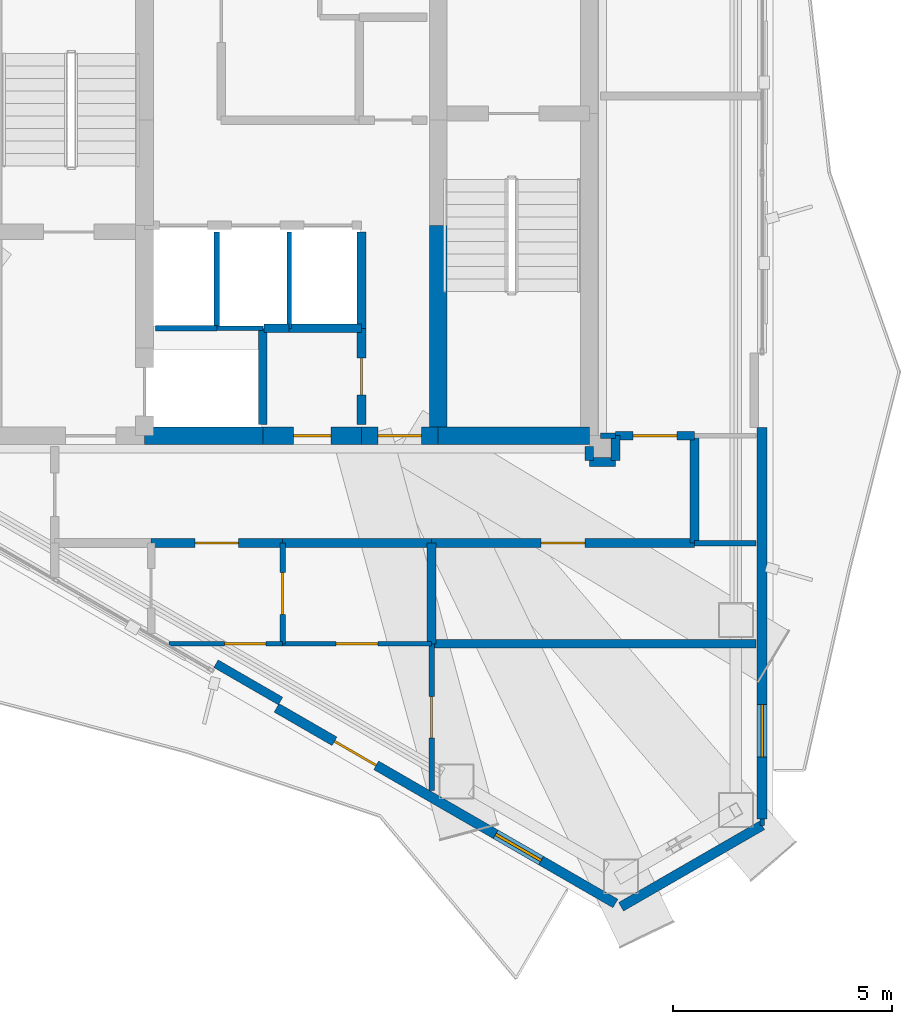
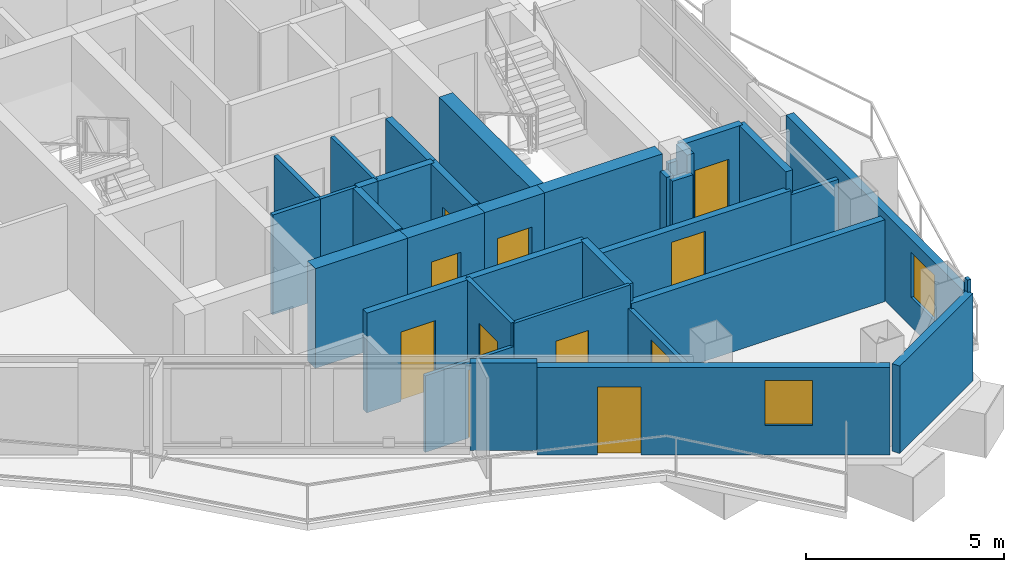
# One storey, part 13 of 17: 35 walls, 11 doors, 2 windows, 13 openings.
"""IFC4 building model written with IfcOpenShell, lengths in metres."""

from ifc_helpers import new_model, si_unit, direction, frame, frame_2d, origin, place, context, subcontext, project, spatial, rectangle, extrude, material, layer, layer_set, type_object, element, fill, save


model = new_model("IFC4")

# Units and contexts
model_context = context("Model", 3, precision=1e-05, world=origin(), true_north=direction((0.0, 1.0)))
body_context = subcontext(model_context, "Body", "Model", "MODEL_VIEW")
ifc_project = project(units=[si_unit("LENGTHUNIT", "METRE"), si_unit("AREAUNIT", "SQUARE_METRE"), si_unit("VOLUMEUNIT", "CUBIC_METRE"), si_unit("PLANEANGLEUNIT", "RADIAN"), si_unit("MASSUNIT", "GRAM", prefix="KILO")], contexts=[model_context])

# Site, building, storey
site_placement = place(None, origin())
site = spatial("IfcSite", under=ifc_project, at=site_placement, CompositionType="ELEMENT")
building_placement = place(site_placement, origin())
building = spatial("IfcBuilding", under=site, at=building_placement, Name="Mersakhor Tower and Convention Hall", CompositionType="ELEMENT")
storey_placement = place(building_placement, frame((0.0, 0.0, 223.199951171875)))
storey = spatial("IfcBuildingStorey", under=building, at=storey_placement, Name="L62", CompositionType="ELEMENT", Elevation=223.199951171875)

# Wall
ifc_material_1 = material(Name="Precast concrete C40/50", Category="concrete")
ifc_layer_1 = layer(ifc_material_1, 0.22509765625)
ifc_layer_set_1 = layer_set([ifc_layer_1], Name="Precast concrete C40/50")
wall_type_1 = type_object("IfcWallType", Name="WL-EXT-225", PredefinedType="SOLIDWALL", material=ifc_layer_set_1)
wall_1_placement = place(storey_placement, frame((39.742919921875, 11.858154296875, 0.0), z_axis=(0.0, 0.0, 1.0), x_axis=(-0.866038962515, -0.499976514854, 0.0)))
element("IfcWall", 1, at=wall_1_placement, inside=storey, type_object=wall_type_1, Name="L62 Chamfer Braced Spandrel Wall C2", PredefinedType="SOLIDWALL", context=body_context, shape_type="SweptSolid", body=[
    extrude(rectangle(XDim=3.715576171875, YDim=0.22509765625, at=frame_2d((1.85791015625, 0.0))), origin(), (0.0, 0.0, 1.0), 2.699951171875),
])

# Wall, opening, window
wall_2_placement = place(storey_placement, frame((39.742919921875, 20.93603515625, 0.0), z_axis=(0.0, 0.0, 1.0), x_axis=(0.0, -1.0, 0.0)))
wall_2 = element("IfcWall", 2, at=wall_2_placement, inside=storey, type_object=wall_type_1, Name="L62 Exterior Facade Wall F2-B3", PredefinedType="SOLIDWALL", context=body_context, shape_type="SweptSolid", body=[
    extrude(rectangle(XDim=8.927734375, YDim=0.22509765625, at=frame_2d((4.4638671875, 0.0))), origin(), (0.0, 0.0, 1.0), 2.699951171875),
])
opening_1_placement = place(wall_2_placement, frame((6.322021484375, 0.0, 0.89990234375)))
opening_1 = element("IfcOpeningElement", 3, at=opening_1_placement, cuts=wall_2, Name="Opening W-01", PredefinedType="OPENING", context=body_context, shape_type="SweptSolid", body=[
    extrude(rectangle(XDim=1.199951171875, YDim=1.39990234375, at=frame_2d((0.60009765625, 0.699951171875))), frame((0.0, 0.12255859375, 0.0), z_axis=(0.0, -1.0, 0.0), x_axis=(1.0, 0.0, 0.0)), (0.0, 0.0, 1.0), 0.2451171875),
])
ifc_material_2 = material(Name="Dark solar low-E glazed aluminium window", Category="aluminium")
window_type = type_object("IfcWindowType", Name="WN-RES-120x150", PartitioningType="SINGLE_PANEL", PredefinedType="WINDOW", material=ifc_material_2)
window_1_placement = place(opening_1_placement, origin())
window_1 = element("IfcWindow", 4, at=window_1_placement, inside=storey, type_object=window_type, Name="L62 Bedroom Facade Window F2-B3-1", OverallHeight=1.39990234375, OverallWidth=1.199951171875, PartitioningType="SINGLE_PANEL", PredefinedType="WINDOW", context=body_context, shape_type="SweptSolid", body=[
    extrude(rectangle(XDim=1.199951171875, YDim=1.39990234375, at=frame_2d((0.60009765625, 0.699951171875))), frame((0.0, 0.030029296875, 0.0), z_axis=(0.0, -1.0, 0.0), x_axis=(1.0, 0.0, 0.0)), (0.0, 0.0, 1.0), 0.06005859375),
])
fill(opening_1, window_1)

# Wall, openings, door, window
wall_3_placement = place(storey_placement, frame((36.395263671875, 10.07568359375, 0.0), z_axis=(0.0, 0.0, 1.0), x_axis=(-0.866026655105, 0.499997832642, 0.0)))
wall_3 = element("IfcWall", 5, at=wall_3_placement, inside=storey, type_object=wall_type_1, Name="L62 Exterior Facade Wall F3-B1", PredefinedType="SOLIDWALL", context=body_context, shape_type="SweptSolid", body=[
    extrude(rectangle(XDim=8.927734375, YDim=0.22509765625, at=frame_2d((4.4638671875, 0.0))), origin(), (0.0, 0.0, 1.0), 2.699951171875),
])
opening_2_placement = place(wall_3_placement, frame((6.302001953125, 0.0, 0.0)))
opening_2 = element("IfcOpeningElement", 6, at=opening_2_placement, cuts=wall_3, Name="Opening BD-02", PredefinedType="OPENING", context=body_context, shape_type="SweptSolid", body=[
    extrude(rectangle(XDim=1.10009765625, YDim=2.10009765625, at=frame_2d((0.550048828125, 1.050048828125))), frame((0.0, 0.12255859375, 0.0), z_axis=(0.0, -1.0, 0.0), x_axis=(1.0, 0.0, 0.0)), (0.0, 0.0, 1.0), 0.2451171875),
])
opening_3_placement = place(wall_3_placement, frame((1.9580078125, 0.0, 0.89990234375)))
opening_3 = element("IfcOpeningElement", 7, at=opening_3_placement, cuts=wall_3, Name="Opening W-01", PredefinedType="OPENING", context=body_context, shape_type="SweptSolid", body=[
    extrude(rectangle(XDim=1.199951171875, YDim=1.39990234375, at=frame_2d((0.60009765625, 0.699951171875))), frame((0.0, 0.12255859375, 0.0), z_axis=(0.0, -1.0, 0.0), x_axis=(1.0, 0.0, 0.0)), (0.0, 0.0, 1.0), 0.2451171875),
])
ifc_material_3 = material(Name="Thermally broken dark aluminium and safety glass", Category="aluminium")
door_type_1 = type_object("IfcDoorType", Name="DR-BAL-110x210", OperationType="NOTDEFINED", PredefinedType="DOOR", material=ifc_material_3)
door_1_placement = place(opening_2_placement, origin())
door_1 = element("IfcDoor", 8, at=door_1_placement, inside=storey, type_object=door_type_1, Name="L62 Balcony Terrace Door F3-B1", OperationType="SINGLE_SWING_RIGHT", OverallHeight=2.10009765625, OverallWidth=1.10009765625, PredefinedType="DOOR", context=body_context, shape_type="SweptSolid", body=[
    extrude(rectangle(XDim=1.10009765625, YDim=2.10009765625, at=frame_2d((0.550048828125, 1.050048828125))), frame((0.0, 0.02490234375, 0.0), z_axis=(0.0, -1.0, 0.0), x_axis=(1.0, 0.0, 0.0)), (0.0, 0.0, 1.0), 0.050048828125),
])
fill(opening_2, door_1)
window_2_placement = place(opening_3_placement, origin())
window_2 = element("IfcWindow", 9, at=window_2_placement, inside=storey, type_object=window_type, Name="L62 Bedroom Facade Window F3-B1-1", OverallHeight=1.39990234375, OverallWidth=1.199951171875, PartitioningType="SINGLE_PANEL", PredefinedType="WINDOW", context=body_context, shape_type="SweptSolid", body=[
    extrude(rectangle(XDim=1.199951171875, YDim=1.39990234375, at=frame_2d((0.60009765625, 0.699951171875))), frame((0.0, 0.030029296875, 0.0), z_axis=(0.0, -1.0, 0.0), x_axis=(1.0, 0.0, 0.0)), (0.0, 0.0, 1.0), 0.06005859375),
])
fill(opening_3, window_2)

# Walls
ifc_material_4 = material(Name="Precast concrete C40/50", Category="concrete")
ifc_layer_2 = layer(ifc_material_4, 0.199951171875)
ifc_layer_set_2 = layer_set([ifc_layer_2], Name="Precast concrete C40/50")
wall_type_2 = type_object("IfcWallType", Name="WL-PAR-200", PredefinedType="PARAPET", material=ifc_layer_set_2)
wall_4_placement = place(storey_placement, frame((28.753662109375, 14.6953125, 0.0), z_axis=(0.0, 0.0, 1.0), x_axis=(-0.866025371046, 0.500000056704, 0.0)))
element("IfcWall", 10, at=wall_4_placement, inside=storey, type_object=wall_type_2, Name="L62 Column Pier Cladding Wall F3-C1", PredefinedType="PARAPET", context=body_context, shape_type="SweptSolid", body=[
    extrude(rectangle(XDim=1.7001953125, YDim=0.199951171875, at=frame_2d((0.85009765625, 0.0))), origin(), (0.0, 0.0, 1.0), 2.699951171875),
])
ifc_material_5 = material(Name="Lightweight gypsum partition", Category="other")
ifc_layer_3 = layer(ifc_material_5, 0.10009765625)
ifc_layer_set_3 = layer_set([ifc_layer_3], Name="Lightweight gypsum partition")
wall_type_3 = type_object("IfcWallType", Name="WL-PRT-100", PredefinedType="PARTITIONING", material=ifc_layer_set_3)
wall_5_placement = place(storey_placement, frame((27.300048828125, 23.199951171875, 0.0), z_axis=(0.0, 0.0, 1.0), x_axis=(1.0, 0.0, 0.0)))
element("IfcWall", 11, at=wall_5_placement, inside=storey, type_object=wall_type_3, Name="L62 Interior Partition Wall P-002", PredefinedType="PARTITIONING", context=body_context, shape_type="SweptSolid", body=[
    extrude(rectangle(XDim=1.050048828125, YDim=0.10009765625, at=frame_2d((0.52490234375, 0.0))), origin(), (0.0, 0.0, 1.0), 3.080078125),
])
wall_6_placement = place(storey_placement, frame((28.949951171875, 25.39990234375, 0.0), z_axis=(0.0, 0.0, 1.0), x_axis=(0.0, -1.0, 0.0)))
element("IfcWall", 12, at=wall_6_placement, inside=storey, type_object=wall_type_3, Name="L62 Interior Partition Wall P-008", PredefinedType="PARTITIONING", context=body_context, shape_type="SweptSolid", body=[
    extrude(rectangle(XDim=2.199951171875, YDim=0.10009765625, at=frame_2d((1.10009765625, 0.0))), origin(), (0.0, 0.0, 1.0), 3.080078125),
])

# Wall, opening, door
wall_7_placement = place(storey_placement, frame((28.800048828125, 16.0, 0.0), z_axis=(0.0, 0.0, 1.0), x_axis=(-1.0, 0.0, 0.0)))
wall_7 = element("IfcWall", 13, at=wall_7_placement, inside=storey, type_object=wall_type_3, Name="L62 Interior Partition Wall P-040", PredefinedType="PARTITIONING", context=body_context, shape_type="SweptSolid", body=[
    extrude(rectangle(XDim=2.593505859375, YDim=0.10009765625, at=frame_2d((1.296875, 0.0))), origin(), (0.0, 0.0, 1.0), 2.364990234375),
])
opening_4_placement = place(wall_7_placement, frame((0.376708984375, 0.0, 0.0)))
opening_4 = element("IfcOpeningElement", 14, at=opening_4_placement, cuts=wall_7, Name="Opening RD-01", PredefinedType="OPENING", context=body_context, shape_type="SweptSolid", body=[
    extrude(rectangle(XDim=0.949951171875, YDim=2.10009765625, at=frame_2d((0.47509765625, 1.050048828125))), frame((0.0, 0.06005859375, 0.0), z_axis=(0.0, -1.0, 0.0), x_axis=(1.0, 0.0, 0.0)), (0.0, 0.0, 1.0), 0.1201171875),
])
ifc_material_6 = material(Name="Solid-core hardwood leaf in painted steel frame", Category="steel")
door_type_2 = type_object("IfcDoorType", Name="DR-INT-RM-095x210", OperationType="NOTDEFINED", PredefinedType="DOOR", material=ifc_material_6)
door_2_placement = place(opening_4_placement, origin())
door_2 = element("IfcDoor", 15, at=door_2_placement, inside=storey, type_object=door_type_2, Name="L62 L62 Flat S2 Apartment Hall to L62 Flat S2 Living and Dining Room Door", OperationType="SINGLE_SWING_RIGHT", OverallHeight=2.10009765625, OverallWidth=0.949951171875, PredefinedType="DOOR", context=body_context, shape_type="SweptSolid", body=[
    extrude(rectangle(XDim=0.949951171875, YDim=2.10009765625, at=frame_2d((0.47509765625, 1.050048828125))), frame((0.0, 0.02490234375, 0.0), z_axis=(0.0, -1.0, 0.0), x_axis=(1.0, 0.0, 0.0)), (0.0, 0.0, 1.0), 0.050048828125),
])
fill(opening_4, door_2)

wall_8_placement = place(storey_placement, frame((32.199951171875, 16.0, 0.0), z_axis=(0.0, 0.0, 1.0), x_axis=(-1.0, 0.0, 0.0)))
wall_8 = element("IfcWall", 16, at=wall_8_placement, inside=storey, type_object=wall_type_3, Name="L62 Interior Partition Wall P-050", PredefinedType="PARTITIONING", context=body_context, shape_type="SweptSolid", body=[
    extrude(rectangle(XDim=3.39990234375, YDim=0.10009765625, at=frame_2d((1.699951171875, 0.0))), origin(), (0.0, 0.0, 1.0), 3.080078125),
])
opening_5_placement = place(wall_8_placement, frame((1.22509765625, 0.0, 0.0)))
opening_5 = element("IfcOpeningElement", 17, at=opening_5_placement, cuts=wall_8, Name="Opening RD-01", PredefinedType="OPENING", context=body_context, shape_type="SweptSolid", body=[
    extrude(rectangle(XDim=0.949951171875, YDim=2.10009765625, at=frame_2d((0.47509765625, 1.050048828125))), frame((0.0, 0.06005859375, 0.0), z_axis=(0.0, -1.0, 0.0), x_axis=(1.0, 0.0, 0.0)), (0.0, 0.0, 1.0), 0.1201171875),
])
door_3_placement = place(opening_5_placement, origin())
door_3 = element("IfcDoor", 18, at=door_3_placement, inside=storey, type_object=door_type_2, Name="L62 L62 Flat S2 Kitchen to L62 Flat S2 Living and Dining Room Door", OperationType="SINGLE_SWING_RIGHT", OverallHeight=2.10009765625, OverallWidth=0.949951171875, PredefinedType="DOOR", context=body_context, shape_type="SweptSolid", body=[
    extrude(rectangle(XDim=0.949951171875, YDim=2.10009765625, at=frame_2d((0.47509765625, 1.050048828125))), frame((0.0, 0.02490234375, 0.0), z_axis=(0.0, -1.0, 0.0), x_axis=(1.0, 0.0, 0.0)), (0.0, 0.0, 1.0), 0.050048828125),
])
fill(opening_5, door_3)

# Walls
wall_9_placement = place(storey_placement, frame((39.742919921875, 12.00830078125, 0.0), z_axis=(0.0, 0.0, 1.0), x_axis=(0.0, -1.0, 0.0)))
element("IfcWall", 19, at=wall_9_placement, inside=storey, type_object=wall_type_3, Name="L62 Interior Partition Wall P-066", PredefinedType="PARTITIONING", context=body_context, shape_type="SweptSolid", body=[
    extrude(rectangle(XDim=0.150390625, YDim=0.10009765625, at=frame_2d((0.0751953125, 0.0))), origin(), (0.0, 0.0, 1.0), 3.080078125),
])
ifc_material_7 = material(Name="Gypsum board acoustic partition", Category="other")
ifc_layer_4 = layer(ifc_material_7, 0.125)
ifc_layer_set_4 = layer_set([ifc_layer_4], Name="Gypsum board acoustic partition")
wall_type_4 = type_object("IfcWallType", Name="WL-PRT-125", PredefinedType="PARTITIONING", material=ifc_layer_set_4)
wall_10_placement = place(storey_placement, frame((25.89990234375, 23.199951171875, 0.0), z_axis=(0.0, 0.0, 1.0), x_axis=(1.0, 0.0, 0.0)))
element("IfcWall", 20, at=wall_10_placement, inside=storey, type_object=wall_type_4, Name="L62 Interior Partition Wall P-001", PredefinedType="PARTITIONING", context=body_context, shape_type="SweptSolid", body=[
    extrude(rectangle(XDim=1.400146484375, YDim=0.125, at=frame_2d((0.7001953125, 0.0))), origin(), (0.0, 0.0, 1.0), 3.080078125),
])
wall_11_placement = place(storey_placement, frame((27.300048828125, 25.39990234375, 0.0), z_axis=(0.0, 0.0, 1.0), x_axis=(0.0, -1.0, 0.0)))
element("IfcWall", 21, at=wall_11_placement, inside=storey, type_object=wall_type_4, Name="L62 Interior Partition Wall P-007", PredefinedType="PARTITIONING", context=body_context, shape_type="SweptSolid", body=[
    extrude(rectangle(XDim=2.199951171875, YDim=0.125, at=frame_2d((1.10009765625, 0.0))), origin(), (0.0, 0.0, 1.0), 3.080078125),
])

# Wall, opening, door
wall_12_placement = place(storey_placement, frame((28.800048828125, 18.300048828125, 0.0), z_axis=(0.0, 0.0, 1.0), x_axis=(0.0, -1.0, 0.0)))
wall_12 = element("IfcWall", 22, at=wall_12_placement, inside=storey, type_object=wall_type_4, Name="L62 Interior Partition Wall P-039", PredefinedType="PARTITIONING", context=body_context, shape_type="SweptSolid", body=[
    extrude(rectangle(XDim=2.300048828125, YDim=0.125, at=frame_2d((1.14990234375, 0.0))), origin(), (0.0, 0.0, 1.0), 3.080078125),
])
opening_6_placement = place(wall_12_placement, frame((0.675048828125, 0.0, 0.0)))
opening_6 = element("IfcOpeningElement", 23, at=opening_6_placement, cuts=wall_12, Name="Opening RD-01", PredefinedType="OPENING", context=body_context, shape_type="SweptSolid", body=[
    extrude(rectangle(XDim=0.949951171875, YDim=2.10009765625, at=frame_2d((0.47509765625, 1.050048828125))), frame((0.0, 0.072509765625, 0.0), z_axis=(0.0, -1.0, 0.0), x_axis=(1.0, 0.0, 0.0)), (0.0, 0.0, 1.0), 0.14501953125),
])
door_4_placement = place(opening_6_placement, origin())
door_4 = element("IfcDoor", 24, at=door_4_placement, inside=storey, type_object=door_type_2, Name="L62 L62 Flat S2 Apartment Hall to L62 Flat S2 Kitchen Door", OperationType="SINGLE_SWING_LEFT", OverallHeight=2.10009765625, OverallWidth=0.949951171875, PredefinedType="DOOR", context=body_context, shape_type="SweptSolid", body=[
    extrude(rectangle(XDim=0.949951171875, YDim=2.10009765625, at=frame_2d((0.47509765625, 1.050048828125))), frame((0.0, 0.02490234375, 0.0), z_axis=(0.0, -1.0, 0.0), x_axis=(1.0, 0.0, 0.0)), (0.0, 0.0, 1.0), 0.050048828125),
])
fill(opening_6, door_4)

# Walls
wall_13_placement = place(storey_placement, frame((38.199951171875, 18.300048828125, 0.0), z_axis=(0.0, 0.0, 1.0), x_axis=(1.0, 0.0, 0.0)))
element("IfcWall", 25, at=wall_13_placement, inside=storey, type_object=wall_type_4, Name="L62 Interior Partition Wall P-055", PredefinedType="PARTITIONING", context=body_context, shape_type="SweptSolid", body=[
    extrude(rectangle(XDim=1.40625, YDim=0.125, at=frame_2d((0.703125, 0.0))), origin(), (0.0, 0.0, 1.0), 2.364990234375),
])
wall_14_placement = place(storey_placement, frame((36.39990234375, 20.75, 0.0), z_axis=(0.0, 0.0, 1.0), x_axis=(-1.0, 0.0, 0.0)))
element("IfcWall", 26, at=wall_14_placement, inside=storey, type_object=wall_type_4, Name="L62 Interior Partition Wall P-061", PredefinedType="PARTITIONING", context=body_context, shape_type="SweptSolid", body=[
    extrude(rectangle(XDim=0.349853515625, YDim=0.125, at=frame_2d((0.1748046875, 0.0))), origin(), (0.0, 0.0, 1.0), 2.60498046875),
])

# Wall, opening, door
wall_15_placement = place(storey_placement, frame((32.199951171875, 16.0, 0.0), z_axis=(0.0, 0.0, 1.0), x_axis=(0.0, -1.0, 0.0)))
wall_15 = element("IfcWall", 27, at=wall_15_placement, inside=storey, type_object=wall_type_4, Name="L62 Interior Partition Wall P-065", PredefinedType="PARTITIONING", context=body_context, shape_type="SweptSolid", body=[
    extrude(rectangle(XDim=3.344482421875, YDim=0.125, at=frame_2d((1.67236328125, 0.0))), origin(), (0.0, 0.0, 1.0), 2.364990234375),
])
opening_7_placement = place(wall_15_placement, frame((1.197265625, 0.0, 0.0)))
opening_7 = element("IfcOpeningElement", 28, at=opening_7_placement, cuts=wall_15, Name="Opening RD-01", PredefinedType="OPENING", context=body_context, shape_type="SweptSolid", body=[
    extrude(rectangle(XDim=0.949951171875, YDim=2.10009765625, at=frame_2d((0.47509765625, 1.050048828125))), frame((0.0, 0.072509765625, 0.0), z_axis=(0.0, -1.0, 0.0), x_axis=(1.0, 0.0, 0.0)), (0.0, 0.0, 1.0), 0.14501953125),
])
door_5_placement = place(opening_7_placement, origin())
door_5 = element("IfcDoor", 29, at=door_5_placement, inside=storey, type_object=door_type_2, Name="L62 L62 Flat S2 Living and Dining Room to L62 Flat S2 Master Bedroom Door", OperationType="SINGLE_SWING_RIGHT", OverallHeight=2.10009765625, OverallWidth=0.949951171875, PredefinedType="DOOR", context=body_context, shape_type="SweptSolid", body=[
    extrude(rectangle(XDim=0.949951171875, YDim=2.10009765625, at=frame_2d((0.47509765625, 1.050048828125))), frame((0.0, 0.02490234375, 0.0), z_axis=(0.0, -1.0, 0.0), x_axis=(1.0, 0.0, 0.0)), (0.0, 0.0, 1.0), 0.050048828125),
])
fill(opening_7, door_5)

# Walls
ifc_material_8 = material(Name="Acoustic concrete blockwork and gypsum board", Category="masonry")
ifc_layer_5 = layer(ifc_material_8, 0.199951171875)
ifc_layer_set_5 = layer_set([ifc_layer_5], Name="Acoustic concrete blockwork and gypsum board")
wall_type_5 = type_object("IfcWallType", Name="WL-PRT-200", PredefinedType="PARTITIONING", material=ifc_layer_set_5)
wall_16_placement = place(storey_placement, frame((28.35009765625, 23.199951171875, 0.0), z_axis=(0.0, 0.0, 1.0), x_axis=(0.0, -1.0, 0.0)))
element("IfcWall", 30, at=wall_16_placement, inside=storey, type_object=wall_type_5, Name="L62 Interior Partition Wall P-003", PredefinedType="PARTITIONING", context=body_context, shape_type="SweptSolid", body=[
    extrude(rectangle(XDim=2.199951171875, YDim=0.199951171875, at=frame_2d((1.10009765625, 0.0))), origin(), (0.0, 0.0, 1.0), 3.080078125),
])
wall_17_placement = place(storey_placement, frame((28.949951171875, 23.199951171875, 0.0), z_axis=(0.0, 0.0, 1.0), x_axis=(-1.0, 0.0, 0.0)))
element("IfcWall", 31, at=wall_17_placement, inside=storey, type_object=wall_type_5, Name="L62 Interior Partition Wall P-009", PredefinedType="PARTITIONING", context=body_context, shape_type="SweptSolid", body=[
    extrude(rectangle(XDim=0.570068359375, YDim=0.199951171875, at=frame_2d((0.28515625, 0.0))), origin(), (0.0, 0.0, 1.0), 3.080078125),
])
wall_18_placement = place(storey_placement, frame((30.60009765625, 25.39990234375, 0.0), z_axis=(0.0, 0.0, 1.0), x_axis=(0.0, -1.0, 0.0)))
element("IfcWall", 32, at=wall_18_placement, inside=storey, type_object=wall_type_5, Name="L62 Interior Partition Wall P-010", PredefinedType="PARTITIONING", context=body_context, shape_type="SweptSolid", body=[
    extrude(rectangle(XDim=2.199951171875, YDim=0.199951171875, at=frame_2d((1.10009765625, 0.0))), origin(), (0.0, 0.0, 1.0), 3.080078125),
])
wall_19_placement = place(storey_placement, frame((30.60009765625, 23.199951171875, 0.0), z_axis=(0.0, 0.0, 1.0), x_axis=(-1.0, 0.0, 0.0)))
element("IfcWall", 33, at=wall_19_placement, inside=storey, type_object=wall_type_5, Name="L62 Interior Partition Wall P-011", PredefinedType="PARTITIONING", context=body_context, shape_type="SweptSolid", body=[
    extrude(rectangle(XDim=1.650146484375, YDim=0.199951171875, at=frame_2d((0.8251953125, 0.0))), origin(), (0.0, 0.0, 1.0), 3.080078125),
])

# Wall, opening, door
wall_20_placement = place(storey_placement, frame((30.60009765625, 21.0, 0.0), z_axis=(0.0, 0.0, 1.0), x_axis=(0.0, 1.0, 0.0)))
wall_20 = element("IfcWall", 34, at=wall_20_placement, inside=storey, type_object=wall_type_5, Name="L62 Interior Partition Wall P-012", PredefinedType="PARTITIONING", context=body_context, shape_type="SweptSolid", body=[
    extrude(rectangle(XDim=2.199951171875, YDim=0.199951171875, at=frame_2d((1.10009765625, 0.0))), origin(), (0.0, 0.0, 1.0), 3.080078125),
])
opening_8_placement = place(wall_20_placement, frame((0.675048828125, 0.0, 0.0)))
opening_8 = element("IfcOpeningElement", 35, at=opening_8_placement, cuts=wall_20, Name="Opening SVD-01", PredefinedType="OPENING", context=body_context, shape_type="SweptSolid", body=[
    extrude(rectangle(XDim=0.85009765625, YDim=2.10009765625, at=frame_2d((0.425048828125, 1.050048828125))), frame((0.0, 0.10986328125, 0.0), z_axis=(0.0, -1.0, 0.0), x_axis=(1.0, 0.0, 0.0)), (0.0, 0.0, 1.0), 0.219970703125),
])
ifc_material_9 = material(Name="Fire-rated hardwood leaf and painted steel frame", Category="steel")
door_type_3 = type_object("IfcDoorType", Name="DR-INT-SVC-085x210", OperationType="NOTDEFINED", PredefinedType="DOOR", material=ifc_material_9)
door_6_placement = place(opening_8_placement, origin())
door_6 = element("IfcDoor", 36, at=door_6_placement, inside=storey, type_object=door_type_3, Name="L62 Central Passenger Lift Lobby to Electrical Distribution Room Door", OperationType="SINGLE_SWING_RIGHT", OverallHeight=2.10009765625, OverallWidth=0.85009765625, PredefinedType="DOOR", context=body_context, shape_type="SweptSolid", body=[
    extrude(rectangle(XDim=0.85009765625, YDim=2.10009765625, at=frame_2d((0.425048828125, 1.050048828125))), frame((0.0, 0.02490234375, 0.0), z_axis=(0.0, -1.0, 0.0), x_axis=(1.0, 0.0, 0.0)), (0.0, 0.0, 1.0), 0.050048828125),
])
fill(opening_8, door_6)

# Walls
wall_21_placement = place(storey_placement, frame((35.800048828125, 20.14990234375, 0.0), z_axis=(0.0, 0.0, 1.0), x_axis=(1.0, 0.0, 0.0)))
element("IfcWall", 37, at=wall_21_placement, inside=storey, type_object=wall_type_5, Name="L62 Interior Partition Wall P-026", PredefinedType="PARTITIONING", context=body_context, shape_type="SweptSolid", body=[
    extrude(rectangle(XDim=0.599853515625, YDim=0.199951171875, at=frame_2d((0.2998046875, 0.0))), origin(), (0.0, 0.0, 1.0), 2.5283203125),
])
wall_22_placement = place(storey_placement, frame((36.39990234375, 20.179931640625, 0.0), z_axis=(0.0, 0.0, 1.0), x_axis=(0.0, 1.0, 0.0)))
element("IfcWall", 38, at=wall_22_placement, inside=storey, type_object=wall_type_5, Name="L62 Interior Partition Wall P-027", PredefinedType="PARTITIONING", context=body_context, shape_type="SweptSolid", body=[
    extrude(rectangle(XDim=0.570068359375, YDim=0.199951171875, at=frame_2d((0.28515625, 0.0))), origin(), (0.0, 0.0, 1.0), 3.080078125),
])

# Wall, opening, door
wall_23_placement = place(storey_placement, frame((36.39990234375, 20.75, 0.0), z_axis=(0.0, 0.0, 1.0), x_axis=(1.0, 0.0, 0.0)))
wall_23 = element("IfcWall", 39, at=wall_23_placement, inside=storey, type_object=wall_type_5, Name="L62 Interior Partition Wall P-028", PredefinedType="PARTITIONING", context=body_context, shape_type="SweptSolid", body=[
    extrude(rectangle(XDim=1.800048828125, YDim=0.199951171875, at=frame_2d((0.89990234375, 0.0))), origin(), (0.0, 0.0, 1.0), 3.080078125),
])
opening_9_placement = place(wall_23_placement, frame((0.39990234375, 0.0, 0.0)))
opening_9 = element("IfcOpeningElement", 40, at=opening_9_placement, cuts=wall_23, Name="Opening FD-01", PredefinedType="OPENING", context=body_context, shape_type="SweptSolid", body=[
    extrude(rectangle(XDim=1.0, YDim=2.14990234375, at=frame_2d((0.5, 1.074951171875))), frame((0.0, 0.10986328125, 0.0), z_axis=(0.0, -1.0, 0.0), x_axis=(1.0, 0.0, 0.0)), (0.0, 0.0, 1.0), 0.219970703125),
])
ifc_material_10 = material(Name="Fire-rated hardwood leaf and painted steel frame", Category="steel")
door_type_4 = type_object("IfcDoorType", Name="DR-INT-FLT-100x215", OperationType="NOTDEFINED", PredefinedType="DOOR", material=ifc_material_10)
door_7_placement = place(opening_9_placement, origin())
door_7 = element("IfcDoor", 41, at=door_7_placement, inside=storey, type_object=door_type_4, Name="L62 Residential South Gallery Corridor to L62 East Crown Shared Laundry Door", OperationType="SINGLE_SWING_RIGHT", OverallHeight=2.14990234375, OverallWidth=1.0, PredefinedType="DOOR", context=body_context, shape_type="SweptSolid", body=[
    extrude(rectangle(XDim=1.0, YDim=2.14990234375, at=frame_2d((0.5, 1.074951171875))), frame((0.0, 0.02490234375, 0.0), z_axis=(0.0, -1.0, 0.0), x_axis=(1.0, 0.0, 0.0)), (0.0, 0.0, 1.0), 0.050048828125),
])
fill(opening_9, door_7)

# Wall
wall_24_placement = place(storey_placement, frame((38.199951171875, 20.75, 0.0), z_axis=(0.0, 0.0, 1.0), x_axis=(0.0, -1.0, 0.0)))
element("IfcWall", 42, at=wall_24_placement, inside=storey, type_object=wall_type_5, Name="L62 Interior Partition Wall P-029", PredefinedType="PARTITIONING", context=body_context, shape_type="SweptSolid", body=[
    extrude(rectangle(XDim=2.449951171875, YDim=0.199951171875, at=frame_2d((1.22509765625, 0.0))), origin(), (0.0, 0.0, 1.0), 3.080078125),
])

# Wall, opening, door
wall_25_placement = place(storey_placement, frame((38.199951171875, 18.300048828125, 0.0), z_axis=(0.0, 0.0, 1.0), x_axis=(-1.0, 0.0, 0.0)))
wall_25 = element("IfcWall", 43, at=wall_25_placement, inside=storey, type_object=wall_type_5, Name="L62 Interior Partition Wall P-030", PredefinedType="PARTITIONING", context=body_context, shape_type="SweptSolid", body=[
    extrude(rectangle(XDim=6.0, YDim=0.199951171875, at=frame_2d((3.0, 0.0))), origin(), (0.0, 0.0, 1.0), 2.5283203125),
])
opening_10_placement = place(wall_25_placement, frame((2.5, 0.0, 0.0)))
opening_10 = element("IfcOpeningElement", 44, at=opening_10_placement, cuts=wall_25, Name="Opening FD-01", PredefinedType="OPENING", context=body_context, shape_type="SweptSolid", body=[
    extrude(rectangle(XDim=1.0, YDim=2.14990234375, at=frame_2d((0.5, 1.074951171875))), frame((0.0, 0.10986328125, 0.0), z_axis=(0.0, -1.0, 0.0), x_axis=(1.0, 0.0, 0.0)), (0.0, 0.0, 1.0), 0.219970703125),
])
door_8_placement = place(opening_10_placement, origin())
door_8 = element("IfcDoor", 45, at=door_8_placement, inside=storey, type_object=door_type_4, Name="L62 Residential South Gallery Corridor to L62 South-East Shared Pantry Door", OperationType="SINGLE_SWING_RIGHT", OverallHeight=2.14990234375, OverallWidth=1.0, PredefinedType="DOOR", context=body_context, shape_type="SweptSolid", body=[
    extrude(rectangle(XDim=1.0, YDim=2.14990234375, at=frame_2d((0.5, 1.074951171875))), frame((0.0, 0.02490234375, 0.0), z_axis=(0.0, -1.0, 0.0), x_axis=(1.0, 0.0, 0.0)), (0.0, 0.0, 1.0), 0.050048828125),
])
fill(opening_10, door_8)

# Wall
wall_26_placement = place(storey_placement, frame((32.199951171875, 18.300048828125, 0.0), z_axis=(0.0, 0.0, 1.0), x_axis=(-1.0, 0.0, 0.0)))
element("IfcWall", 46, at=wall_26_placement, inside=storey, type_object=wall_type_5, Name="L62 Interior Partition Wall P-031", PredefinedType="PARTITIONING", context=body_context, shape_type="SweptSolid", body=[
    extrude(rectangle(XDim=3.39990234375, YDim=0.199951171875, at=frame_2d((1.699951171875, 0.0))), origin(), (0.0, 0.0, 1.0), 3.080078125),
])

# Wall, opening, door
wall_27_placement = place(storey_placement, frame((28.800048828125, 18.300048828125, 0.0), z_axis=(0.0, 0.0, 1.0), x_axis=(-1.0, 0.0, 0.0)))
wall_27 = element("IfcWall", 47, at=wall_27_placement, inside=storey, type_object=wall_type_5, Name="L62 Interior Partition Wall P-032", PredefinedType="PARTITIONING", context=body_context, shape_type="SweptSolid", body=[
    extrude(rectangle(XDim=3.0, YDim=0.199951171875, at=frame_2d((1.5, 0.0))), origin(), (0.0, 0.0, 1.0), 3.080078125),
])
opening_11_placement = place(wall_27_placement, frame((1.0, 0.0, 0.0)))
opening_11 = element("IfcOpeningElement", 48, at=opening_11_placement, cuts=wall_27, Name="Opening FD-01", PredefinedType="OPENING", context=body_context, shape_type="SweptSolid", body=[
    extrude(rectangle(XDim=1.0, YDim=2.14990234375, at=frame_2d((0.5, 1.074951171875))), frame((0.0, 0.10986328125, 0.0), z_axis=(0.0, -1.0, 0.0), x_axis=(1.0, 0.0, 0.0)), (0.0, 0.0, 1.0), 0.219970703125),
])
door_9_placement = place(opening_11_placement, origin())
door_9 = element("IfcDoor", 49, at=door_9_placement, inside=storey, type_object=door_type_4, Name="L62 Apartment Entrance Door (Residential South Gallery Corridor to L62 Flat S2 Apartment Hall)", OperationType="SINGLE_SWING_RIGHT", OverallHeight=2.14990234375, OverallWidth=1.0, PredefinedType="DOOR", context=body_context, shape_type="SweptSolid", body=[
    extrude(rectangle(XDim=1.0, YDim=2.14990234375, at=frame_2d((0.5, 1.074951171875))), frame((0.0, 0.02490234375, 0.0), z_axis=(0.0, -1.0, 0.0), x_axis=(1.0, 0.0, 0.0)), (0.0, 0.0, 1.0), 0.050048828125),
])
fill(opening_11, door_9)

# Walls
wall_28_placement = place(storey_placement, frame((35.800048828125, 20.5, 0.0), z_axis=(0.0, 0.0, 1.0), x_axis=(0.0, -1.0, 0.0)))
element("IfcWall", 50, at=wall_28_placement, inside=storey, type_object=wall_type_5, Name="L62 Interior Partition Wall P-035", PredefinedType="PARTITIONING", context=body_context, shape_type="SweptSolid", body=[
    extrude(rectangle(XDim=0.320068359375, YDim=0.199951171875, at=frame_2d((0.16015625, 0.0))), origin(), (0.0, 0.0, 1.0), 2.60498046875),
])
wall_29_placement = place(storey_placement, frame((32.199951171875, 18.300048828125, 0.0), z_axis=(0.0, 0.0, 1.0), x_axis=(0.0, -1.0, 0.0)))
element("IfcWall", 51, at=wall_29_placement, inside=storey, type_object=wall_type_5, Name="L62 Interior Partition Wall P-051", PredefinedType="PARTITIONING", context=body_context, shape_type="SweptSolid", body=[
    extrude(rectangle(XDim=2.300048828125, YDim=0.199951171875, at=frame_2d((1.14990234375, 0.0))), origin(), (0.0, 0.0, 1.0), 3.080078125),
])
wall_30_placement = place(storey_placement, frame((39.606201171875, 16.0, 0.0), z_axis=(0.0, 0.0, 1.0), x_axis=(-1.0, 0.0, 0.0)))
element("IfcWall", 52, at=wall_30_placement, inside=storey, type_object=wall_type_5, Name="L62 Interior Partition Wall P-056", PredefinedType="PARTITIONING", context=body_context, shape_type="SweptSolid", body=[
    extrude(rectangle(XDim=7.40625, YDim=0.199951171875, at=frame_2d((3.703125, 0.0))), origin(), (0.0, 0.0, 1.0), 2.5283203125),
])
ifc_material_11 = material(Name="Concrete C60/75", Category="concrete")
ifc_layer_6 = layer(ifc_material_11, 0.39990234375)
ifc_layer_set_6 = layer_set([ifc_layer_6], Name="Concrete C60/75")
wall_type_6 = type_object("IfcWallType", Name="WL-SHR-400", PredefinedType="SHEAR", material=ifc_layer_set_6)
wall_31_placement = place(storey_placement, frame((35.800048828125, 20.75, 0.0), z_axis=(0.0, 0.0, 1.0), x_axis=(-1.0, 0.0, 0.0)))
element("IfcWall", 53, at=wall_31_placement, inside=storey, type_object=wall_type_6, Name="L62 Core Wall CW-S1", PredefinedType="SHEAR", context=body_context, shape_type="SweptSolid", body=[
    extrude(rectangle(XDim=3.449951171875, YDim=0.39990234375, at=frame_2d((1.72509765625, 0.0))), origin(), (0.0, 0.0, 1.0), 3.080078125),
])

# Wall, opening, door
wall_32_placement = place(storey_placement, frame((32.35009765625, 20.75, 0.0), z_axis=(0.0, 0.0, 1.0), x_axis=(-1.0, 0.0, 0.0)))
wall_32 = element("IfcWall", 54, at=wall_32_placement, inside=storey, type_object=wall_type_6, Name="L62 Core Wall CW-S2A", PredefinedType="SHEAR", context=body_context, shape_type="SweptSolid", body=[
    extrude(rectangle(XDim=1.75, YDim=0.39990234375, at=frame_2d((0.875, 0.0))), origin(), (0.0, 0.0, 1.0), 3.080078125),
])
opening_12_placement = place(wall_32_placement, frame((0.375, 0.0, 0.0)))
opening_12 = element("IfcOpeningElement", 55, at=opening_12_placement, cuts=wall_32, Name="Opening CFD-01", PredefinedType="OPENING", context=body_context, shape_type="SweptSolid", body=[
    extrude(rectangle(XDim=1.0, YDim=2.14990234375, at=frame_2d((0.5, 1.074951171875))), frame((0.0, 0.2099609375, 0.0), z_axis=(0.0, -1.0, 0.0), x_axis=(1.0, 0.0, 0.0)), (0.0, 0.0, 1.0), 0.419921875),
])
ifc_material_12 = material(Name="Fire-rated hardwood leaf and painted steel frame", Category="steel")
door_type_5 = type_object("IfcDoorType", Name="DR-CORE-FD-100x215", OperationType="NOTDEFINED", PredefinedType="DOOR", material=ifc_material_12)
door_10_placement = place(opening_12_placement, origin())
door_10 = element("IfcDoor", 56, at=door_10_placement, inside=storey, type_object=door_type_5, Name="L62 Lift Lobby South Corridor Door", OperationType="SINGLE_SWING_RIGHT", OverallHeight=2.14990234375, OverallWidth=1.0, PredefinedType="DOOR", context=body_context, shape_type="SweptSolid", body=[
    extrude(rectangle(XDim=1.0, YDim=2.14990234375, at=frame_2d((0.5, 1.074951171875))), frame((0.0, 0.02490234375, 0.0), z_axis=(0.0, -1.0, 0.0), x_axis=(1.0, 0.0, 0.0)), (0.0, 0.0, 1.0), 0.050048828125),
])
fill(opening_12, door_10)

wall_33_placement = place(storey_placement, frame((30.60009765625, 20.75, 0.0), z_axis=(0.0, 0.0, 1.0), x_axis=(-1.0, 0.0, 0.0)))
wall_33 = element("IfcWall", 57, at=wall_33_placement, inside=storey, type_object=wall_type_6, Name="L62 Core Wall CW-S2B", PredefinedType="SHEAR", context=body_context, shape_type="SweptSolid", body=[
    extrude(rectangle(XDim=2.25, YDim=0.39990234375, at=frame_2d((1.125, 0.0))), origin(), (0.0, 0.0, 1.0), 3.080078125),
])
opening_13_placement = place(wall_33_placement, frame((0.699951171875, 0.0, 0.0)))
opening_13 = element("IfcOpeningElement", 58, at=opening_13_placement, cuts=wall_33, Name="Opening SVD-01", PredefinedType="OPENING", context=body_context, shape_type="SweptSolid", body=[
    extrude(rectangle(XDim=0.85009765625, YDim=2.10009765625, at=frame_2d((0.425048828125, 1.050048828125))), frame((0.0, 0.2099609375, 0.0), z_axis=(0.0, -1.0, 0.0), x_axis=(1.0, 0.0, 0.0)), (0.0, 0.0, 1.0), 0.419921875),
])
door_11_placement = place(opening_13_placement, origin())
door_11 = element("IfcDoor", 59, at=door_11_placement, inside=storey, type_object=door_type_3, Name="L62 Residential South Gallery Corridor to Electrical Distribution Room Door", OperationType="SINGLE_SWING_LEFT", OverallHeight=2.10009765625, OverallWidth=0.85009765625, PredefinedType="DOOR", context=body_context, shape_type="SweptSolid", body=[
    extrude(rectangle(XDim=0.85009765625, YDim=2.10009765625, at=frame_2d((0.425048828125, 1.050048828125))), frame((0.0, 0.02490234375, 0.0), z_axis=(0.0, -1.0, 0.0), x_axis=(1.0, 0.0, 0.0)), (0.0, 0.0, 1.0), 0.050048828125),
])
fill(opening_13, door_11)

# Walls
wall_34_placement = place(storey_placement, frame((28.35009765625, 20.75, 0.0), z_axis=(0.0, 0.0, 1.0), x_axis=(-1.0, 0.0, 0.0)))
element("IfcWall", 60, at=wall_34_placement, inside=storey, type_object=wall_type_6, Name="L62 Core Wall CW-S3", PredefinedType="SHEAR", context=body_context, shape_type="SweptSolid", body=[
    extrude(rectangle(XDim=2.7001953125, YDim=0.39990234375, at=frame_2d((1.35009765625, 0.0))), origin(), (0.0, 0.0, 1.0), 3.080078125),
])
wall_35_placement = place(storey_placement, frame((32.35009765625, 20.75, 0.0), z_axis=(0.0, 0.0, 1.0), x_axis=(0.0, 1.0, 0.0)))
element("IfcWall", 61, at=wall_35_placement, inside=storey, type_object=wall_type_6, Name="L62 Core Wall CS-E-ST2", PredefinedType="SHEAR", context=body_context, shape_type="SweptSolid", body=[
    extrude(rectangle(XDim=4.800048828125, YDim=0.39990234375, at=frame_2d((2.39990234375, 0.0))), origin(), (0.0, 0.0, 1.0), 3.080078125),
])

save(model, "model.ifc")
